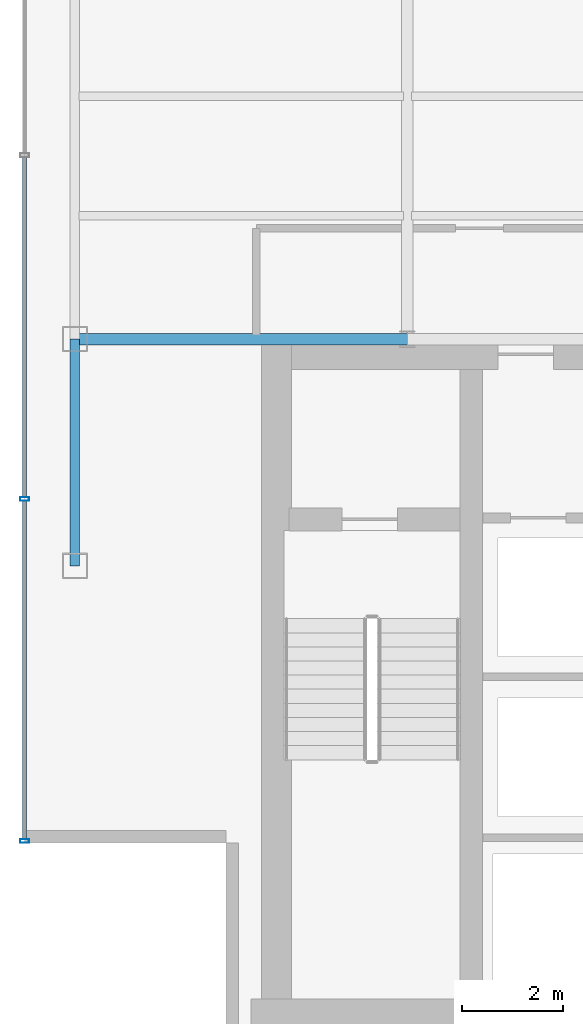
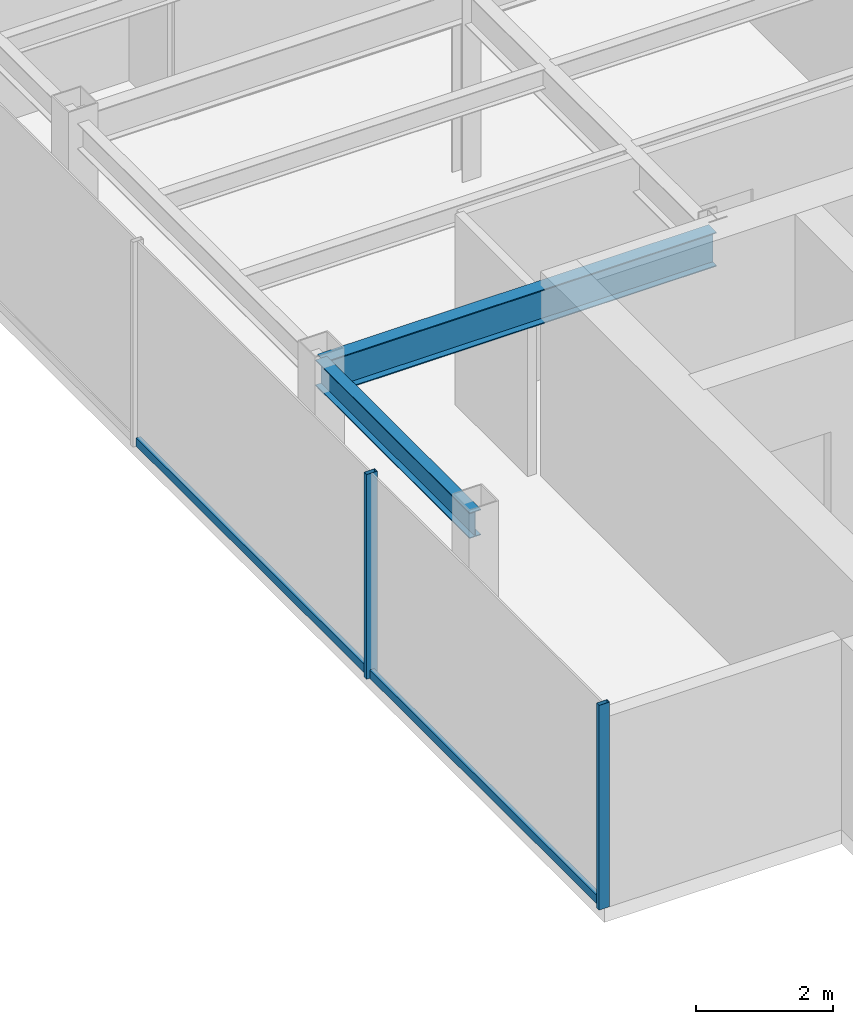
# One storey, part 3 of 22: 4 members, 2 beams, 1 element without a shape of its own.
"""IFC4 building model written with IfcOpenShell, lengths in metres."""

from ifc_helpers import new_model, si_unit, derived_unit, direction, frame, origin, origin_2d, place, context, subcontext, project, spatial, hollow_rectangle, i_section, extrude, source, transform, mapped, material, material_profile, profile_set, type_object, element, aggregate, save


model = new_model("IFC4")

# Units and contexts
model_context = context("Model", 3, precision=1e-05, world=origin(), true_north=direction((0.0, 1.0)))
body_context = subcontext(model_context, "Body", "Model", "MODEL_VIEW")
ifc_project = project(units=[si_unit("LENGTHUNIT", "METRE"), si_unit("AREAUNIT", "SQUARE_METRE"), si_unit("VOLUMEUNIT", "CUBIC_METRE"), si_unit("PLANEANGLEUNIT", "RADIAN"), si_unit("MASSUNIT", "GRAM", prefix="KILO"), derived_unit("THERMALTRANSMITTANCEUNIT", [(si_unit("POWERUNIT", "WATT"), 1), (si_unit("LENGTHUNIT", "METRE"), -2), (si_unit("THERMODYNAMICTEMPERATUREUNIT", "KELVIN"), -1)])], contexts=[model_context])

# Site, building, storey
site_placement = place(None, origin())
site = spatial("IfcSite", under=ifc_project, at=site_placement, CompositionType="ELEMENT")
building_placement = place(site_placement, origin())
building = spatial("IfcBuilding", under=site, at=building_placement, Name="Skarnbrae Concourse Arena and Tower", CompositionType="ELEMENT")
storey_placement = place(building_placement, frame((0.0, 0.0, 199.550048828125)))
storey = spatial("IfcBuildingStorey", under=building, at=storey_placement, Name="L51", CompositionType="ELEMENT", Elevation=199.550048828125)

# Beams
ifc_material_1 = material(Name="Steel CSA G40.21 350W", Category="steel")
ifc_material_profile_1 = material_profile(ifc_material_1, i_section(OverallWidth=0.22802734375, OverallDepth=0.60791015625, WebThickness=0.01123046875, FlangeThickness=0.017333984375, at=origin_2d()), Name="W610X113")
ifc_profile_set_1 = profile_set([ifc_material_profile_1], Name="Steel CSA G40.21 350W")
beam_type_1 = type_object("IfcBeamType", Name="BM-GIRD-W610X113", PredefinedType="BEAM", material=ifc_profile_set_1)
shared_shape_1 = source(origin(), body_context, "Body", "SweptSolid", [
    extrude(i_section(OverallWidth=0.22802734375, OverallDepth=0.60791015625, WebThickness=0.01123046875, FlangeThickness=0.017333984375, at=origin_2d()), origin(), (0.0, 0.0, 1.0), 6.60009765625),
])
beam_1_placement = place(storey_placement, frame((1.0, 14.0, 3.095947265625), z_axis=(1.0, 0.0, 0.0), x_axis=(0.0, 1.0, 0.0)))
element("IfcBeam", 1, at=beam_1_placement, inside=storey, type_object=beam_type_1, Name="L51 Primary E-W girder Y14.0-1", PredefinedType="BEAM", context=body_context, shape_type="MappedRepresentation", body=[
    mapped(shared_shape_1, transform((0.0, 0.0, 0.0))),
])
ifc_material_profile_2 = material_profile(ifc_material_1, i_section(OverallWidth=0.19091796875, OverallDepth=0.4599609375, WebThickness=0.010009765625, FlangeThickness=0.01611328125, at=origin_2d()), Name="W460X82")
ifc_profile_set_2 = profile_set([ifc_material_profile_2], Name="Steel CSA G40.21 350W")
beam_type_2 = type_object("IfcBeamType", Name="BM-SPAN-W460X82", PredefinedType="SPANDREL", material=ifc_profile_set_2)
shared_shape_2 = source(origin(), body_context, "Body", "SweptSolid", [
    extrude(i_section(OverallWidth=0.19091796875, OverallDepth=0.4599609375, WebThickness=0.010009765625, FlangeThickness=0.01611328125, at=origin_2d()), origin(), (0.0, 0.0, 1.0), 4.5),
])
beam_2_placement = place(storey_placement, frame((1.0, 9.5, 3.169921875), z_axis=(0.0, 1.0, 0.0), x_axis=(-1.0, 0.0, 0.0)))
element("IfcBeam", 2, at=beam_2_placement, inside=storey, type_object=beam_type_2, Name="L51 Perimeter spandrel X1.0-1", PredefinedType="SPANDREL", context=body_context, shape_type="MappedRepresentation", body=[
    mapped(shared_shape_2, transform((0.0, 0.0, 0.0))),
])

# Curtain wall, members
ifc_material_2 = material(Name="Bronze anodised aluminium 6063-T6", Category="aluminium")
curtain_wall_type = type_object("IfcCurtainWallType", Name="CW-SYS-05-HIGHZONE", PredefinedType="USERDEFINED", material=ifc_material_2)
curtain_wall_placement = place(storey_placement, origin())
curtain_wall = element("IfcCurtainWall", 3, at=curtain_wall_placement, inside=storey, type_object=curtain_wall_type, Name="L51 Unitised curtain wall CW-L51-E18", ObjectType="UNITISED CURTAIN WALL", PredefinedType="USERDEFINED")
ifc_material_profile_3 = material_profile(ifc_material_2, hollow_rectangle(XDim=0.074951171875, YDim=0.179931640625, WallThickness=0.00390625, at=origin_2d()), Name="ALU-MULL-75X180")
ifc_profile_set_3 = profile_set([ifc_material_profile_3], Name="Bronze anodised aluminium 6063-T6")
member_type_1 = type_object("IfcMemberType", Name="CWM-CW-05", PredefinedType="MULLION", material=ifc_profile_set_3)
shared_shape_3 = source(origin(), body_context, "Body", "SweptSolid", [
    extrude(hollow_rectangle(XDim=0.074951171875, YDim=0.179931640625, WallThickness=0.00390625, at=origin_2d()), origin(), (0.0, 0.0, 1.0), 3.64990234375),
])
member_1_placement = place(storey_placement, frame((0.0, 10.824951171875, 0.0), z_axis=(0.0, 0.0, 1.0), x_axis=(0.0, -1.0, 0.0)))
member_1 = element("IfcMember", 4, at=member_1_placement, type_object=member_type_1, Name="CW-L51-E18 Mullion 4", PredefinedType="MULLION", context=body_context, shape_type="MappedRepresentation", body=[
    mapped(shared_shape_3, transform((0.0, 0.0, 0.0))),
])
member_2_placement = place(storey_placement, frame((0.0, 4.03759765625, 0.0), z_axis=(0.0, 0.0, 1.0), x_axis=(0.0, -1.0, 0.0)))
member_2 = element("IfcMember", 5, at=member_2_placement, type_object=member_type_1, Name="CW-L51-E18 Mullion 5", PredefinedType="MULLION", context=body_context, shape_type="MappedRepresentation", body=[
    mapped(shared_shape_3, transform((0.0, 0.0, 0.0))),
])
ifc_material_profile_4 = material_profile(ifc_material_2, hollow_rectangle(XDim=0.074951171875, YDim=0.14990234375, WallThickness=0.00390625, at=origin_2d()), Name="ALU-TRAN-75X150")
ifc_profile_set_4 = profile_set([ifc_material_profile_4], Name="Bronze anodised aluminium 6063-T6")
member_type_2 = type_object("IfcMemberType", Name="CWT-CW-05", PredefinedType="USERDEFINED", material=ifc_profile_set_4)
shared_shape_4 = source(origin(), body_context, "Body", "SweptSolid", [
    extrude(hollow_rectangle(XDim=0.074951171875, YDim=0.14990234375, WallThickness=0.00390625, at=origin_2d()), origin(), (0.0, 0.0, 1.0), 6.712646484375),
])
member_3_placement = place(storey_placement, frame((0.0, 10.78759765625, 0.074951171875), z_axis=(0.0, -1.0, 0.0), x_axis=(1.0, 0.0, 0.0)))
member_3 = element("IfcMember", 6, at=member_3_placement, type_object=member_type_2, Name="CW-L51-E18 Transom 4", ObjectType="TRANSOM", PredefinedType="USERDEFINED", context=body_context, shape_type="MappedRepresentation", body=[
    mapped(shared_shape_4, transform((0.0, 0.0, 0.0))),
])
shared_shape_5 = source(origin(), body_context, "Body", "SweptSolid", [
    extrude(hollow_rectangle(XDim=0.074951171875, YDim=0.14990234375, WallThickness=0.00390625, at=origin_2d()), origin(), (0.0, 0.0, 1.0), 6.75),
])
member_4_placement = place(storey_placement, frame((0.0, 17.612548828125, 0.074951171875), z_axis=(0.0, -1.0, 0.0), x_axis=(1.0, 0.0, 0.0)))
member_4 = element("IfcMember", 7, at=member_4_placement, type_object=member_type_2, Name="CW-L51-E18 Transom 3", ObjectType="TRANSOM", PredefinedType="USERDEFINED", context=body_context, shape_type="MappedRepresentation", body=[
    mapped(shared_shape_5, transform((0.0, 0.0, 0.0))),
])
aggregate(curtain_wall, [member_1, member_2, member_4, member_3])

save(model, "model.ifc")
